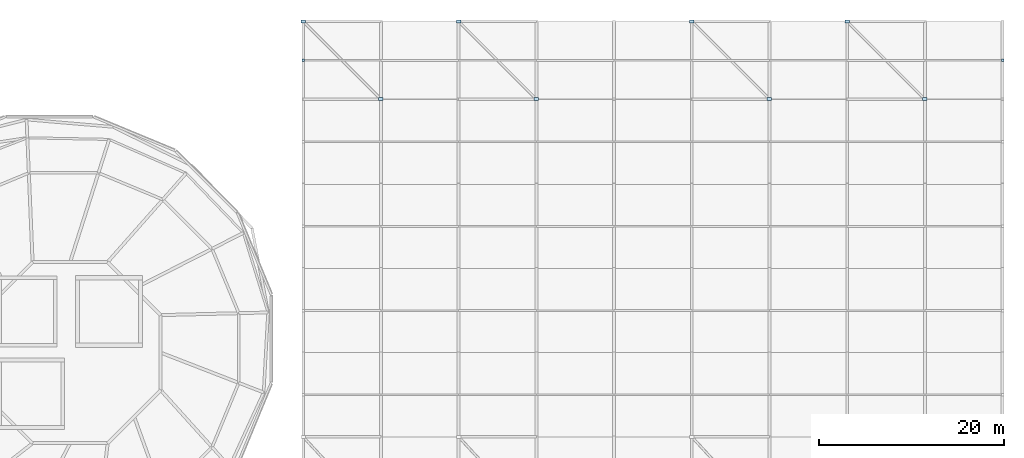
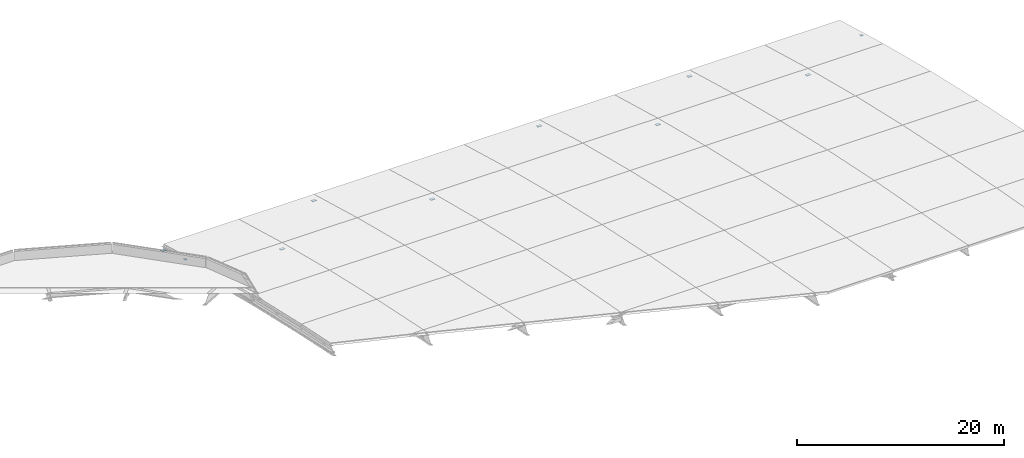
# One storey, part 9 of 12: 10 plates.
"""IFC4 building model written with IfcOpenShell, lengths in metres."""

from ifc_helpers import new_model, si_unit, derived_unit, direction, frame, origin, origin_2d, place, context, subcontext, project, spatial, rectangle, extrude, material, layer, layer_set, type_object, element, save


model = new_model("IFC4")

# Units and contexts
model_context = context("Model", 3, precision=1e-05, world=origin(), true_north=direction((0.0, 1.0)))
body_context = subcontext(model_context, "Body", "Model", "MODEL_VIEW")
ifc_project = project(units=[si_unit("LENGTHUNIT", "METRE"), si_unit("AREAUNIT", "SQUARE_METRE"), si_unit("VOLUMEUNIT", "CUBIC_METRE"), si_unit("PLANEANGLEUNIT", "RADIAN"), si_unit("MASSUNIT", "GRAM", prefix="KILO"), derived_unit("THERMALTRANSMITTANCEUNIT", [(si_unit("MASSUNIT", "GRAM", prefix="KILO"), 1), (si_unit("TIMEUNIT", "SECOND"), -3), (si_unit("THERMODYNAMICTEMPERATUREUNIT", "KELVIN"), -1)])], contexts=[model_context])

# Site, building, storey
site_placement = place(None, origin())
site = spatial("IfcSite", under=ifc_project, at=site_placement, CompositionType="ELEMENT")
building_placement = place(site_placement, origin())
building = spatial("IfcBuilding", under=site, at=building_placement, Name="Makaiwela Harbour Ferry Terminal", CompositionType="ELEMENT")
storey_placement = place(building_placement, frame((0.0, 0.0, 25.5)))
storey = spatial("IfcBuildingStorey", under=building, at=storey_placement, Name="ROOF", CompositionType="ELEMENT", Elevation=25.5)

# Plates
ifc_material = material(Name="Steel ASTM A572 Grade 50", Category="steel")
ifc_layer_1 = layer(ifc_material, 0.02001953125)
ifc_layer_set_1 = layer_set([ifc_layer_1], Name="Steel ASTM A572 Grade 50")
plate_type_1 = type_object("IfcPlateType", Name="STR-PLT-CAP1", PredefinedType="SHEET", material=ifc_layer_set_1)
for number, where, z_axis, x_axis, name in (
    (1, (63.0, 99.199951171875, -11.49951171875), (0.0, 0.0, 1.0), (0.0, 1.0, 0.0), "Welded End Cap EC-0059"),
    (2, (138.60009765625, 99.199951171875, -11.49951171875), (0.0, 0.0, 1.0), (0.0, 1.0, 0.0), "Welded End Cap EC-0060"),
):
    element("IfcPlate", number, at=place(storey_placement, frame(where, z_axis=z_axis, x_axis=x_axis)), inside=storey, type_object=plate_type_1, Name=name, PredefinedType="SHEET", context=body_context, shape_type="SweptSolid", body=[
        extrude(rectangle(XDim=0.280029296875, YDim=0.280029296875, at=origin_2d()), origin(), (0.0, 0.0, 1.0), 0.02001953125),
    ])
ifc_layer_2 = layer(ifc_material, 0.02001953125)
ifc_layer_set_2 = layer_set([ifc_layer_2], Name="Steel ASTM A572 Grade 50")
plate_type_2 = type_object("IfcPlateType", Name="STR-PLT-GUS2", PredefinedType="USERDEFINED", material=ifc_layer_set_2)
for number, where, z_axis, x_axis, name in (
    (3, (63.0, 103.39990234375, -13.006103515625), (0.0, 0.0, 1.0), (1.0, 0.0, 0.0), "Truss Gusset Plate GP-145"),
    (4, (71.39990234375, 95.0, -10.68603515625), (0.0, 0.0, 1.0), (1.0, 0.0, 0.0), "Truss Gusset Plate GP-146"),
    (5, (79.800048828125, 103.39990234375, -13.006103515625), (0.0, 0.0, 1.0), (1.0, 0.0, 0.0), "Truss Gusset Plate GP-149"),
    (6, (88.199951171875, 95.0, -10.68603515625), (0.0, 0.0, 1.0), (1.0, 0.0, 0.0), "Truss Gusset Plate GP-150"),
    (7, (105.0, 103.39990234375, -13.006103515625), (0.0, 0.0, 1.0), (1.0, 0.0, 0.0), "Truss Gusset Plate GP-153"),
    (8, (113.39990234375, 95.0, -10.68603515625), (0.0, 0.0, 1.0), (1.0, 0.0, 0.0), "Truss Gusset Plate GP-154"),
    (9, (121.800048828125, 103.39990234375, -13.006103515625), (0.0, 0.0, 1.0), (1.0, 0.0, 0.0), "Truss Gusset Plate GP-157"),
    (10, (130.199951171875, 95.0, -10.68603515625), (0.0, 0.0, 1.0), (1.0, 0.0, 0.0), "Truss Gusset Plate GP-158"),
):
    element("IfcPlate", number, at=place(storey_placement, frame(where, z_axis=z_axis, x_axis=x_axis)), inside=storey, type_object=plate_type_2, Name=name, ObjectType="GUSSET PLATE", PredefinedType="USERDEFINED", context=body_context, shape_type="SweptSolid", body=[
        extrude(rectangle(XDim=0.47998046875, YDim=0.320068359375, at=origin_2d()), origin(), (0.0, 0.0, 1.0), 0.02001953125),
    ])

save(model, "model.ifc")
